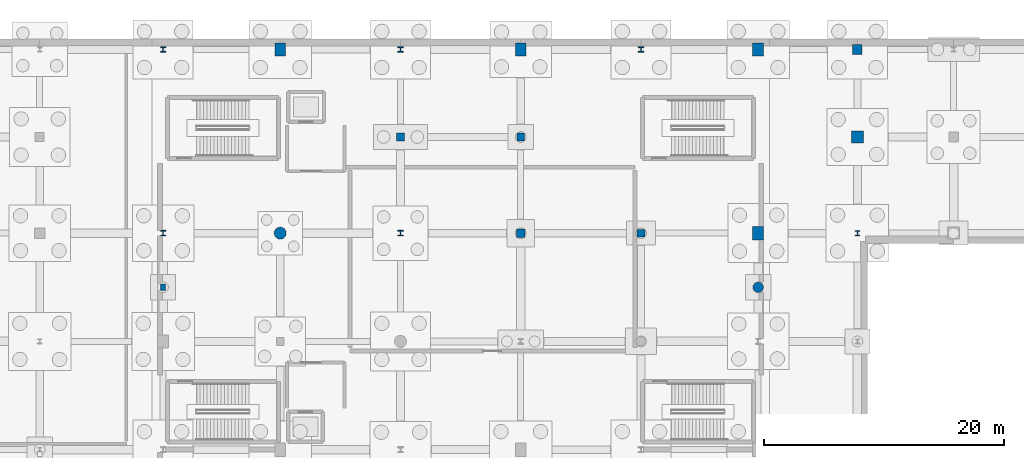
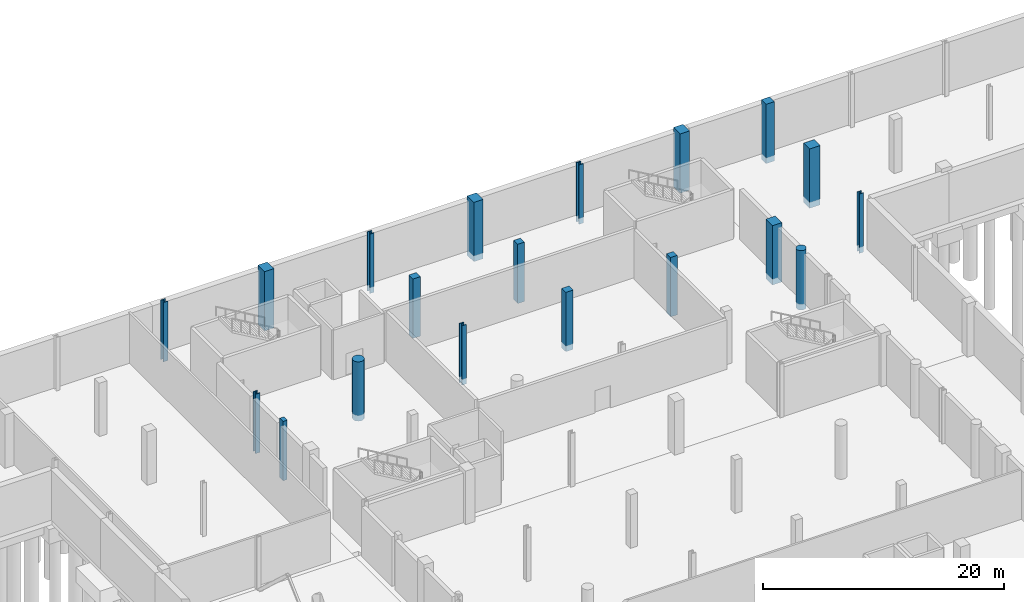
# One storey, part 30 of 60: 19 columns.
"""IFC4 building model written with IfcOpenShell, lengths in metres."""

from ifc_helpers import new_model, si_unit, direction, frame, origin, origin_2d, place, context, subcontext, project, spatial, rectangle, circle, i_section, extrude, material, material_profile, profile_set, type_object, element, save


model = new_model("IFC4")

# Units and contexts
model_context = context("Model", 3, precision=1e-05, world=origin(), true_north=direction((0.0, 1.0)))
body_context = subcontext(model_context, "Body", "Model", "MODEL_VIEW")
ifc_project = project(units=[si_unit("LENGTHUNIT", "METRE"), si_unit("AREAUNIT", "SQUARE_METRE"), si_unit("VOLUMEUNIT", "CUBIC_METRE"), si_unit("PLANEANGLEUNIT", "RADIAN"), si_unit("MASSUNIT", "GRAM", prefix="KILO")], contexts=[model_context])

# Site, building, storey
site_placement = place(None, origin())
site = spatial("IfcSite", under=ifc_project, at=site_placement, CompositionType="ELEMENT")
building_placement = place(site_placement, origin())
building = spatial("IfcBuilding", under=site, at=building_placement, Name="Trimount Lyric Opera House", CompositionType="ELEMENT")
storey_placement = place(building_placement, frame((0.0, 0.0, -5.39990234375)))
storey = spatial("IfcBuildingStorey", under=building, at=storey_placement, Name="B1", CompositionType="ELEMENT", Elevation=-5.39990234375)

# Columns
ifc_material_1 = material(Name="Steel ASTM A992 Grade 50", Category="steel")
ifc_material_profile_1 = material_profile(ifc_material_1, i_section(OverallWidth=0.422119140625, OverallDepth=0.465087890625, WebThickness=0.044921875, FlangeThickness=0.072509765625, FilletRadius=0.02001953125, at=origin_2d()), Name="W14X398")
ifc_profile_set_1 = profile_set([ifc_material_profile_1], Name="Steel ASTM A992 Grade 50")
column_type_1 = type_object("IfcColumnType", Name="C-01", PredefinedType="COLUMN", material=ifc_profile_set_1)
for number, where, z_axis, x_axis, name in (
    (1, (64.260009765625, 102.0, -0.60009765625), (0.0, 0.0, 1.0), (1.0, 0.0, 0.0), "B1 column 8/M"),
    (2, (64.260009765625, 117.280029296875, -0.60009765625), (0.0, 0.0, 1.0), (1.0, 0.0, 0.0), "B1 column 8/P"),
    (3, (84.0, 117.280029296875, -0.60009765625), (0.0, 0.0, 1.0), (1.0, 0.0, 0.0), "B1 column 10/P"),
    (4, (104.0, 117.280029296875, -0.60009765625), (0.0, 0.0, 1.0), (1.0, 0.0, 0.0), "B1 column 12/P"),
):
    element("IfcColumn", number, at=place(storey_placement, frame(where, z_axis=z_axis, x_axis=x_axis)), inside=storey, type_object=column_type_1, Name=name, PredefinedType="COLUMN", context=body_context, shape_type="SweptSolid", body=[
        extrude(i_section(OverallWidth=0.422119140625, OverallDepth=0.465087890625, WebThickness=0.044921875, FlangeThickness=0.072509765625, FilletRadius=0.02001953125, at=origin_2d()), origin(), (0.0, 0.0, 1.0), 6.0),
    ])
ifc_material_2 = material(Name="Steel ASTM A992 Grade 50", Category="steel")
ifc_material_profile_2 = material_profile(ifc_material_2, i_section(OverallWidth=0.39892578125, OverallDepth=0.385986328125, WebThickness=0.02099609375, FlangeThickness=0.033203125, FilletRadius=0.01611328125, at=origin_2d()), Name="W14X176")
ifc_profile_set_2 = profile_set([ifc_material_profile_2], Name="Steel ASTM A992 Grade 50")
column_type_2 = type_object("IfcColumnType", Name="C-03", PredefinedType="COLUMN", material=ifc_profile_set_2)
column_1_placement = place(storey_placement, frame((122.0, 102.0, -0.60009765625), z_axis=(0.0, 0.0, 1.0), x_axis=(1.0, 0.0, 0.0)))
element("IfcColumn", 5, at=column_1_placement, inside=storey, type_object=column_type_2, Name="B1 column 14/M", PredefinedType="COLUMN", context=body_context, shape_type="SweptSolid", body=[
    extrude(i_section(OverallWidth=0.39892578125, OverallDepth=0.385986328125, WebThickness=0.02099609375, FlangeThickness=0.033203125, FilletRadius=0.01611328125, at=origin_2d()), origin(), (0.0, 0.0, 1.0), 6.0),
])
ifc_material_3 = material(Name="Steel ASTM A992 Grade 50", Category="steel")
ifc_material_profile_3 = material_profile(ifc_material_3, i_section(OverallWidth=0.422119140625, OverallDepth=0.465087890625, WebThickness=0.044921875, FlangeThickness=0.072509765625, FilletRadius=0.02001953125, at=origin_2d()), Name="W14X398")
ifc_profile_set_3 = profile_set([ifc_material_profile_3], Name="Steel ASTM A992 Grade 50")
column_type_3 = type_object("IfcColumnType", Name="C-10", PredefinedType="COLUMN", material=ifc_profile_set_3)
column_2_placement = place(storey_placement, frame((84.0, 102.0, -0.60009765625), z_axis=(0.0, 0.0, 1.0), x_axis=(1.0, 0.0, 0.0)))
element("IfcColumn", 6, at=column_2_placement, inside=storey, type_object=column_type_3, Name="B1 column 10/M", PredefinedType="COLUMN", context=body_context, shape_type="SweptSolid", body=[
    extrude(i_section(OverallWidth=0.422119140625, OverallDepth=0.465087890625, WebThickness=0.044921875, FlangeThickness=0.072509765625, FilletRadius=0.02001953125, at=origin_2d()), origin(), (0.0, 0.0, 1.0), 6.0),
])
ifc_material_4 = material(Name="Concrete C50/60", Category="concrete")
ifc_material_profile_4 = material_profile(ifc_material_4, rectangle(XDim=0.89990234375, YDim=1.10009765625, at=origin_2d()), Name="RC1100X900")
ifc_profile_set_4 = profile_set([ifc_material_profile_4], Name="Concrete C50/60")
column_type_4 = type_object("IfcColumnType", Name="C-11", PredefinedType="COLUMN", material=ifc_profile_set_4)
for number, where, z_axis, x_axis, name in (
    (7, (74.0, 117.280029296875, -0.60009765625), (0.0, 0.0, 1.0), (1.0, 0.0, 0.0), "B1 column 9/P"),
    (8, (94.0, 117.280029296875, -0.60009765625), (0.0, 0.0, 1.0), (1.0, 0.0, 0.0), "B1 column 11/P"),
    (9, (113.739990234375, 102.0, -0.60009765625), (0.0, 0.0, 1.0), (1.0, 0.0, 0.0), "B1 column 13/M"),
    (10, (113.739990234375, 117.280029296875, -0.60009765625), (0.0, 0.0, 1.0), (1.0, 0.0, 0.0), "B1 column 13/P"),
):
    element("IfcColumn", number, at=place(storey_placement, frame(where, z_axis=z_axis, x_axis=x_axis)), inside=storey, type_object=column_type_4, Name=name, PredefinedType="COLUMN", context=body_context, shape_type="SweptSolid", body=[
        extrude(rectangle(XDim=0.89990234375, YDim=1.10009765625, at=origin_2d()), origin(), (0.0, 0.0, 1.0), 6.0),
    ])
ifc_material_5 = material(Name="Concrete C50/60", Category="concrete")
ifc_material_profile_5 = material_profile(ifc_material_5, rectangle(XDim=1.0, YDim=1.0, at=origin_2d()), Name="RC1000X1000")
ifc_profile_set_5 = profile_set([ifc_material_profile_5], Name="Concrete C50/60")
column_type_5 = type_object("IfcColumnType", Name="C-12", PredefinedType="COLUMN", material=ifc_profile_set_5)
column_3_placement = place(storey_placement, frame((122.0, 110.0, -0.60009765625), z_axis=(0.0, 0.0, 1.0), x_axis=(1.0, 0.0, 0.0)))
element("IfcColumn", 11, at=column_3_placement, inside=storey, type_object=column_type_5, Name="B1 column 14/N", PredefinedType="COLUMN", context=body_context, shape_type="SweptSolid", body=[
    extrude(rectangle(XDim=1.0, YDim=1.0, at=origin_2d()), origin(), (0.0, 0.0, 1.0), 6.0),
])
ifc_material_6 = material(Name="Concrete C40/50", Category="concrete")
ifc_material_profile_6 = material_profile(ifc_material_6, rectangle(XDim=0.800048828125, YDim=0.800048828125, at=origin_2d()), Name="RC800X800")
ifc_profile_set_6 = profile_set([ifc_material_profile_6], Name="Concrete C40/50")
column_type_6 = type_object("IfcColumnType", Name="C-14", PredefinedType="COLUMN", material=ifc_profile_set_6)
column_4_placement = place(storey_placement, frame((122.0, 117.280029296875, -0.60009765625), z_axis=(0.0, 0.0, 1.0), x_axis=(1.0, 0.0, 0.0)))
element("IfcColumn", 12, at=column_4_placement, inside=storey, type_object=column_type_6, Name="B1 column 14/P", PredefinedType="COLUMN", context=body_context, shape_type="SweptSolid", body=[
    extrude(rectangle(XDim=0.800048828125, YDim=0.800048828125, at=origin_2d()), origin(), (0.0, 0.0, 1.0), 6.0),
])
ifc_material_7 = material(Name="Concrete C40/50", Category="concrete")
ifc_material_profile_7 = material_profile(ifc_material_7, rectangle(XDim=0.699951171875, YDim=0.699951171875, at=origin_2d()), Name="RC700X700")
ifc_profile_set_7 = profile_set([ifc_material_profile_7], Name="Concrete C40/50")
column_type_7 = type_object("IfcColumnType", Name="C-16", PredefinedType="COLUMN", material=ifc_profile_set_7)
for number, where, z_axis, x_axis, name in (
    (13, (84.0, 110.0, -0.60009765625), (0.0, 0.0, 1.0), (1.0, 0.0, 0.0), "B1 column 10/N"),
    (14, (94.0, 102.0, -0.60009765625), (0.0, 0.0, 1.0), (1.0, 0.0, 0.0), "B1 column 11/M"),
):
    element("IfcColumn", number, at=place(storey_placement, frame(where, z_axis=z_axis, x_axis=x_axis)), inside=storey, type_object=column_type_7, Name=name, PredefinedType="COLUMN", context=body_context, shape_type="SweptSolid", body=[
        extrude(rectangle(XDim=0.699951171875, YDim=0.699951171875, at=origin_2d()), origin(), (0.0, 0.0, 1.0), 6.0),
    ])
ifc_material_8 = material(Name="Concrete C40/50", Category="concrete")
ifc_material_profile_8 = material_profile(ifc_material_8, rectangle(XDim=0.64990234375, YDim=0.64990234375, at=origin_2d()), Name="RC650X650")
ifc_profile_set_8 = profile_set([ifc_material_profile_8], Name="Concrete C40/50")
column_type_8 = type_object("IfcColumnType", Name="C-17", PredefinedType="COLUMN", material=ifc_profile_set_8)
for number, where, z_axis, x_axis, name in (
    (15, (94.0, 110.0, -0.60009765625), (0.0, 0.0, 1.0), (1.0, 0.0, 0.0), "B1 column 11/N"),
    (16, (104.0, 102.0, -0.60009765625), (0.0, 0.0, 1.0), (1.0, 0.0, 0.0), "B1 column 12/M"),
):
    element("IfcColumn", number, at=place(storey_placement, frame(where, z_axis=z_axis, x_axis=x_axis)), inside=storey, type_object=column_type_8, Name=name, PredefinedType="COLUMN", context=body_context, shape_type="SweptSolid", body=[
        extrude(rectangle(XDim=0.64990234375, YDim=0.64990234375, at=origin_2d()), origin(), (0.0, 0.0, 1.0), 6.0),
    ])
ifc_material_9 = material(Name="Concrete C50/60", Category="concrete")
ifc_material_profile_9 = material_profile(ifc_material_9, circle(Radius=0.5, at=origin_2d()), Name="RC-D1000")
ifc_profile_set_9 = profile_set([ifc_material_profile_9], Name="Concrete C50/60")
column_type_9 = type_object("IfcColumnType", Name="C-18", PredefinedType="COLUMN", material=ifc_profile_set_9)
column_5_placement = place(storey_placement, frame((74.0, 102.0, -0.60009765625), z_axis=(0.0, 0.0, 1.0), x_axis=(1.0, 0.0, 0.0)))
element("IfcColumn", 17, at=column_5_placement, inside=storey, type_object=column_type_9, Name="B1 column 9/M", PredefinedType="COLUMN", context=body_context, shape_type="SweptSolid", body=[
    extrude(circle(Radius=0.5, at=origin_2d()), origin(), (0.0, 0.0, 1.0), 6.0),
])
ifc_material_10 = material(Name="Concrete C40/50", Category="concrete")
ifc_material_profile_10 = material_profile(ifc_material_10, rectangle(XDim=0.39990234375, YDim=0.550048828125, at=origin_2d()), Name="RC550X400")
ifc_profile_set_10 = profile_set([ifc_material_profile_10], Name="Concrete C40/50")
column_type_10 = type_object("IfcColumnType", Name="CP-01", PredefinedType="PILASTER", material=ifc_profile_set_10)
column_6_placement = place(storey_placement, frame((64.25, 97.5, -0.60009765625), z_axis=(0.0, 0.0, 1.0), x_axis=(1.0, 0.0, 0.0)))
element("IfcColumn", 18, at=column_6_placement, inside=storey, type_object=column_type_10, Name="B1 acoustic shell pilaster W4", PredefinedType="PILASTER", context=body_context, shape_type="SweptSolid", body=[
    extrude(rectangle(XDim=0.39990234375, YDim=0.550048828125, at=origin_2d()), origin(), (0.0, 0.0, 1.0), 6.0),
])
ifc_material_11 = material(Name="Concrete C50/60", Category="concrete")
ifc_material_profile_11 = material_profile(ifc_material_11, circle(Radius=0.425048828125, at=origin_2d()), Name="RC-D850")
ifc_profile_set_11 = profile_set([ifc_material_profile_11], Name="Concrete C50/60")
column_type_11 = type_object("IfcColumnType", Name="CP-02", PredefinedType="PILASTER", material=ifc_profile_set_11)
column_7_placement = place(storey_placement, frame((113.75, 97.5, -0.60009765625), z_axis=(0.0, 0.0, 1.0), x_axis=(1.0, 0.0, 0.0)))
element("IfcColumn", 19, at=column_7_placement, inside=storey, type_object=column_type_11, Name="B1 acoustic shell pilaster E4", PredefinedType="PILASTER", context=body_context, shape_type="SweptSolid", body=[
    extrude(circle(Radius=0.425048828125, at=origin_2d()), origin(), (0.0, 0.0, 1.0), 6.0),
])

save(model, "model.ifc")
